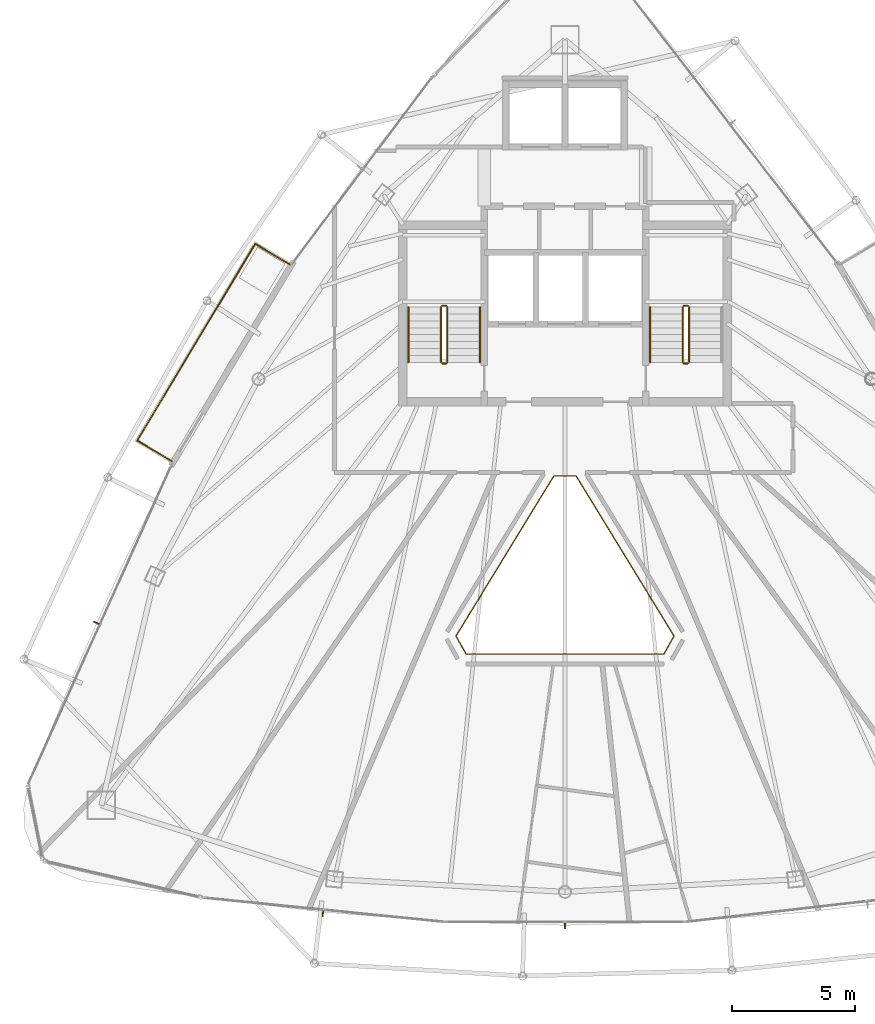
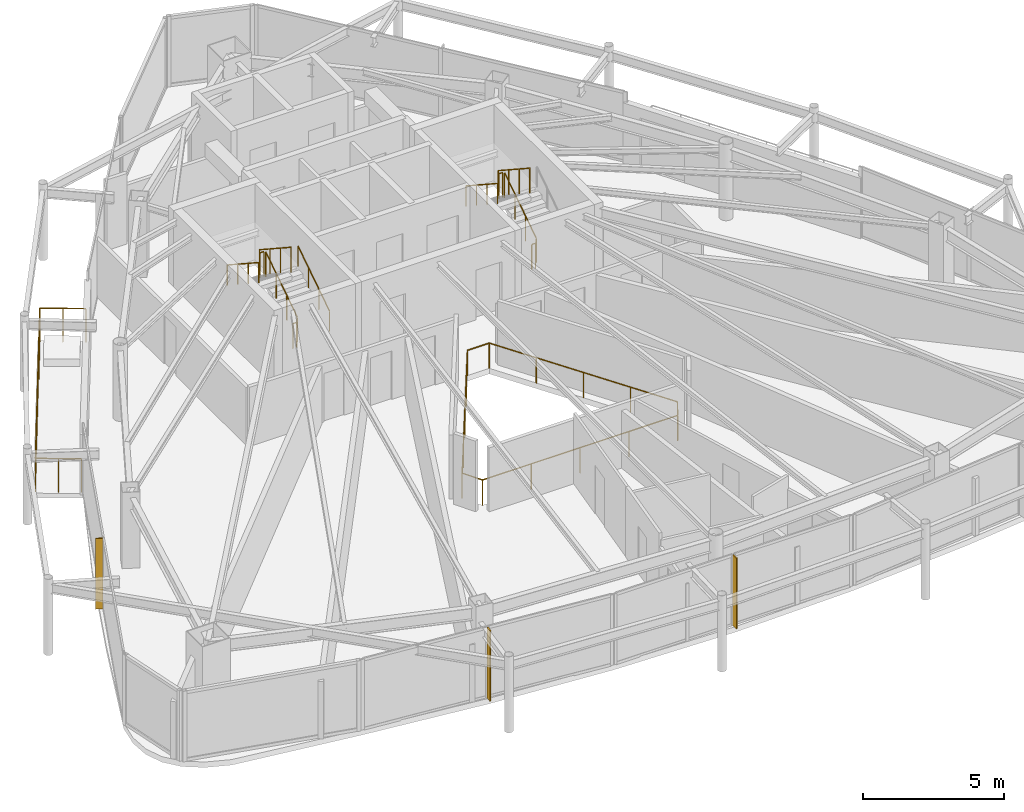
# One storey, part 27 of 28: 13 railings, 3 shading devices.
"""IFC4 building model written with IfcOpenShell, lengths in metres."""

from ifc_helpers import new_model, si_unit, direction, frame, origin, origin_2d, place, context, subcontext, project, spatial, rectangle, circle, extrude, material, layer, layer_set, type_object, element, save


model = new_model("IFC4")

# Units and contexts
model_context = context("Model", 3, precision=1e-05, world=origin(), true_north=direction((0.0, 1.0)))
body_context = subcontext(model_context, "Body", "Model", "MODEL_VIEW")
ifc_project = project(units=[si_unit("LENGTHUNIT", "METRE"), si_unit("AREAUNIT", "SQUARE_METRE"), si_unit("VOLUMEUNIT", "CUBIC_METRE"), si_unit("PLANEANGLEUNIT", "RADIAN"), si_unit("MASSUNIT", "GRAM", prefix="KILO")], contexts=[model_context])

# Site, building, storey
site_placement = place(None, origin())
site = spatial("IfcSite", under=ifc_project, at=site_placement, CompositionType="ELEMENT")
building_placement = place(site_placement, origin())
building = spatial("IfcBuilding", under=site, at=building_placement, Name="Orvanel Arch Residences", CompositionType="ELEMENT")
storey_placement = place(building_placement, frame((0.0, 0.0, 263.449951171875)))
storey = spatial("IfcBuildingStorey", under=building, at=storey_placement, Name="L75", CompositionType="ELEMENT", Elevation=263.449951171875)

# Shading devices
ifc_material_1 = material(Name="Bronze-anodised aluminium AA6063-T6", Category="aluminium")
ifc_layer = layer(ifc_material_1, 0.050048828125)
ifc_layer_set = layer_set([ifc_layer], Name="Bronze-anodised aluminium AA6063-T6")
shading_device_type = type_object("IfcShadingDeviceType", Name="FIN-BRZ-260", PredefinedType="USERDEFINED", material=ifc_layer_set)
for number, where, z_axis, x_axis, name in (
    (1, (13.998046875, 17.75, 0.0), (0.0, 0.0, 1.0), (-0.912120116172, 0.409923033842, 0.0), "L75 Anodised Bronze Mullion FIN 01"),
    (2, (23.18310546875, 5.9599609375, 0.0), (0.0, 0.0, 1.0), (-0.099319749744, -0.995055569961, 0.0), "L75 Anodised Bronze Mullion FIN 01"),
    (3, (33.0, 5.468017578125, 0.0), (0.0, 0.0, 1.0), (0.0, -1.0, 0.0), "L75 Anodised Bronze Mullion FIN 01"),
):
    element("IfcShadingDevice", number, at=place(storey_placement, frame(where, z_axis=z_axis, x_axis=x_axis)), inside=storey, type_object=shading_device_type, Name=name, ObjectType="FIN", PredefinedType="USERDEFINED", context=body_context, shape_type="SweptSolid", body=[
        extrude(rectangle(XDim=0.260009765625, YDim=0.050048828125, at=origin_2d()), origin(), (0.0, 0.0, 1.0), 3.06005859375),
    ])

# Railings
railing_type_1 = type_object("IfcRailingType", Name="RL-ATR-1120", PredefinedType="BALUSTRADE", material=ifc_material_1)
railing_1_placement = place(storey_placement, frame((33.447021484375, 23.7119140625, 0.0)))
element("IfcRailing", 4, at=railing_1_placement, inside=storey, type_object=railing_type_1, Name="L75 Atrium Void Protective Balustrade", PredefinedType="BALUSTRADE", context=body_context, shape_type="SweptSolid", body=[
    extrude(circle(Radius=0.02392578125, at=origin_2d()), frame((-0.00146484375, 0.0, 1.09619140625), z_axis=(-1.0, 0.0, 0.0), x_axis=(0.0, -1.0, 0.0)), (0.0, 0.0, 1.0), 0.89111328125),
    extrude(circle(Radius=0.02392578125, at=origin_2d()), frame((-0.894775390625, -0.001220703125, 1.09619140625), z_axis=(-0.521612229543, -0.853182677972, 0.0), x_axis=(0.853182677972, -0.521612229543, 0.0)), (0.0, 0.0, 1.0), 7.606201171875),
    extrude(circle(Radius=0.02392578125, at=origin_2d()), frame((-4.8623046875, -6.4931640625, 1.09619140625), z_axis=(0.488629954368, -0.872491127573, 0.0), x_axis=(0.872491127573, 0.488629954368, 0.0)), (0.0, 0.0, 1.0), 0.8359375),
    extrude(circle(Radius=0.02392578125, at=origin_2d()), frame((-4.45166015625, -7.223876953125, 1.09619140625), z_axis=(1.0, 0.0, 0.0), x_axis=(0.0, 1.0, 0.0)), (0.0, 0.0, 1.0), 8.00927734375),
    extrude(circle(Radius=0.02392578125, at=origin_2d()), frame((3.559814453125, -7.22265625, 1.09619140625), z_axis=(0.488629954368, 0.872491127573, 0.0), x_axis=(-0.872491127573, 0.488629954368, 0.0)), (0.0, 0.0, 1.0), 0.8359375),
    extrude(circle(Radius=0.02392578125, at=origin_2d()), frame((3.96826171875, -6.49072265625, 1.09619140625), z_axis=(-0.521612229543, 0.853182677972, 0.0), x_axis=(-0.853182677972, -0.521612229543, 0.0)), (0.0, 0.0, 1.0), 7.606201171875),
    extrude(circle(Radius=0.02099609375, at=origin_2d()), origin(), (0.0, 0.0, 1.0), 1.070068359375),
    extrude(circle(Radius=0.02099609375, at=origin_2d()), frame((-0.89404296875, 0.0, 0.0)), (0.0, 0.0, 1.0), 1.070068359375),
    extrude(circle(Radius=0.02099609375, at=origin_2d()), frame((-1.88623046875, -1.623046875, 0.0)), (0.0, 0.0, 1.0), 1.070068359375),
    extrude(circle(Radius=0.02099609375, at=origin_2d()), frame((-2.87841796875, -3.24609375, 0.0)), (0.0, 0.0, 1.0), 1.070068359375),
    extrude(circle(Radius=0.02099609375, at=origin_2d()), frame((-3.870849609375, -4.868896484375, 0.0)), (0.0, 0.0, 1.0), 1.070068359375),
    extrude(circle(Radius=0.02099609375, at=origin_2d()), frame((-4.863037109375, -6.491943359375, 0.0)), (0.0, 0.0, 1.0), 1.070068359375),
    extrude(circle(Radius=0.02099609375, at=origin_2d()), frame((-4.453125, -7.223876953125, 0.0)), (0.0, 0.0, 1.0), 1.070068359375),
    extrude(circle(Radius=0.02099609375, at=origin_2d()), frame((-2.4501953125, -7.223876953125, 0.0)), (0.0, 0.0, 1.0), 1.070068359375),
    extrude(circle(Radius=0.02099609375, at=origin_2d()), frame((-0.447021484375, -7.223876953125, 0.0)), (0.0, 0.0, 1.0), 1.070068359375),
    extrude(circle(Radius=0.02099609375, at=origin_2d()), frame((1.55615234375, -7.223876953125, 0.0)), (0.0, 0.0, 1.0), 1.070068359375),
    extrude(circle(Radius=0.02099609375, at=origin_2d()), frame((3.55908203125, -7.223876953125, 0.0)), (0.0, 0.0, 1.0), 1.070068359375),
    extrude(circle(Radius=0.02099609375, at=origin_2d()), frame((3.968994140625, -6.491943359375, 0.0)), (0.0, 0.0, 1.0), 1.070068359375),
    extrude(circle(Radius=0.02099609375, at=origin_2d()), frame((2.976806640625, -4.868896484375, 0.0)), (0.0, 0.0, 1.0), 1.070068359375),
    extrude(circle(Radius=0.02099609375, at=origin_2d()), frame((1.984375, -3.24609375, 0.0)), (0.0, 0.0, 1.0), 1.070068359375),
    extrude(circle(Radius=0.02099609375, at=origin_2d()), frame((0.9921875, -1.623046875, 0.0)), (0.0, 0.0, 1.0), 1.070068359375),
])
railing_type_2 = type_object("IfcRailingType", Name="RL-BAL-1480", PredefinedType="BALUSTRADE", material=ifc_material_1)
railing_2_placement = place(storey_placement, frame((21.844970703125, 32.282958984375, 0.0)))
element("IfcRailing", 5, at=railing_2_placement, inside=storey, type_object=railing_type_2, Name="L75 Balcony Perimeter Guardrail Face 1", PredefinedType="BALUSTRADE", context=body_context, shape_type="SweptSolid", body=[
    extrude(circle(Radius=0.02392578125, at=origin_2d()), frame((-0.001220703125, 0.000732421875, 1.4560546875), z_axis=(-0.857387817543, 0.514670895164, 0.0), x_axis=(-0.514670895164, -0.857387817543, 0.0)), (0.0, 0.0, 1.0), 1.636962890625),
    extrude(circle(Radius=0.02392578125, at=origin_2d()), frame((-1.40673828125, 0.8427734375, 1.4560546875), z_axis=(-0.514422430239, -0.857536916562, 0.0), x_axis=(0.857536916562, -0.514422430239, 0.0)), (0.0, 0.0, 1.0), 9.300537109375),
    extrude(circle(Radius=0.02392578125, at=origin_2d()), frame((-6.190673828125, -7.134765625, 1.4560546875), z_axis=(0.857545439568, -0.514408222208, 0.0), x_axis=(0.514408222208, 0.857545439568, 0.0)), (0.0, 0.0, 1.0), 1.6376953125),
    extrude(circle(Radius=0.02099609375, at=origin_2d()), origin(), (0.0, 0.0, 1.0), 1.429931640625),
    extrude(circle(Radius=0.02099609375, at=origin_2d()), frame((-0.703125, 0.421875, 0.0)), (0.0, 0.0, 1.0), 1.429931640625),
    extrude(circle(Radius=0.02099609375, at=origin_2d()), frame((-1.406005859375, 0.843994140625, 0.0)), (0.0, 0.0, 1.0), 1.429931640625),
    extrude(circle(Radius=0.02099609375, at=origin_2d()), frame((-2.004150390625, -0.1533203125, 0.0)), (0.0, 0.0, 1.0), 1.429931640625),
    extrude(circle(Radius=0.02099609375, at=origin_2d()), frame((-2.6025390625, -1.150390625, 0.0)), (0.0, 0.0, 1.0), 1.429931640625),
    extrude(circle(Radius=0.02099609375, at=origin_2d()), frame((-3.20068359375, -2.147705078125, 0.0)), (0.0, 0.0, 1.0), 1.429931640625),
    extrude(circle(Radius=0.02099609375, at=origin_2d()), frame((-3.798828125, -3.14501953125, 0.0)), (0.0, 0.0, 1.0), 1.429931640625),
    extrude(circle(Radius=0.02099609375, at=origin_2d()), frame((-4.397216796875, -4.142333984375, 0.0)), (0.0, 0.0, 1.0), 1.429931640625),
    extrude(circle(Radius=0.02099609375, at=origin_2d()), frame((-4.995361328125, -5.1396484375, 0.0)), (0.0, 0.0, 1.0), 1.429931640625),
    extrude(circle(Radius=0.02099609375, at=origin_2d()), frame((-5.59375, -6.13671875, 0.0)), (0.0, 0.0, 1.0), 1.429931640625),
    extrude(circle(Radius=0.02099609375, at=origin_2d()), frame((-6.19189453125, -7.134033203125, 0.0)), (0.0, 0.0, 1.0), 1.429931640625),
    extrude(circle(Radius=0.02099609375, at=origin_2d()), frame((-5.48828125, -7.55615234375, 0.0)), (0.0, 0.0, 1.0), 1.429931640625),
    extrude(circle(Radius=0.02099609375, at=origin_2d()), frame((-4.784912109375, -7.97802734375, 0.0)), (0.0, 0.0, 1.0), 1.429931640625),
])
ifc_material_2 = material(Name="Structural steel AS/NZS 1163 C350L0 (Grade 350)", Category="steel")
railing_type_3 = type_object("IfcRailingType", Name="RL-STAIR-GUARD", PredefinedType="GUARDRAIL", material=ifc_material_2)
railing_3_placement = place(storey_placement, frame((28.22998046875, 28.320068359375, 0.183349609375)))
element("IfcRailing", 6, at=railing_3_placement, inside=storey, type_object=railing_type_3, Name="L75 ST-1 stair guard 1", PredefinedType="GUARDRAIL", context=body_context, shape_type="SweptSolid", body=[
    extrude(circle(Radius=0.02392578125, at=origin_2d()), frame((0.0, 0.001220703125, 1.076904296875), z_axis=(0.0, 0.836595146698, 0.547821650285), x_axis=(-1.0, 0.0, 0.0)), (0.0, 0.0, 1.0), 2.674560546875),
    extrude(circle(Radius=0.02099609375, at=origin_2d()), origin(), (0.0, 0.0, 1.0), 1.050048828125),
    extrude(circle(Radius=0.02099609375, at=origin_2d()), frame((0.0, 0.74658203125, 0.489013671875)), (0.0, 0.0, 1.0), 1.050048828125),
    extrude(circle(Radius=0.02099609375, at=origin_2d()), frame((0.0, 1.493408203125, 0.977783203125)), (0.0, 0.0, 1.0), 1.050048828125),
    extrude(circle(Radius=0.02099609375, at=origin_2d()), frame((0.0, 2.239990234375, 1.466796875)), (0.0, 0.0, 1.0), 1.050048828125),
])
railing_4_placement = place(storey_placement, frame((28.179931640625, 30.610107421875, 1.650146484375)))
element("IfcRailing", 7, at=railing_4_placement, inside=storey, type_object=railing_type_3, Name="L75 ST-1 stair guard 2", PredefinedType="GUARDRAIL", context=body_context, shape_type="SweptSolid", body=[
    extrude(circle(Radius=0.02392578125, at=origin_2d()), frame((-0.00146484375, 0.0, 1.076171875), z_axis=(-1.0, 0.0, 0.0), x_axis=(0.0, -1.0, 0.0)), (0.0, 0.0, 1.0), 0.156982421875),
    extrude(circle(Radius=0.02099609375, at=origin_2d()), origin(), (0.0, 0.0, 1.0), 1.050048828125),
    extrude(circle(Radius=0.02099609375, at=origin_2d()), frame((-0.159912109375, 0.0, 0.0)), (0.0, 0.0, 1.0), 1.050048828125),
])
railing_5_placement = place(storey_placement, frame((27.969970703125, 30.56005859375, 1.83349609375)))
element("IfcRailing", 8, at=railing_5_placement, inside=storey, type_object=railing_type_3, Name="L75 ST-1 stair guard 3", PredefinedType="GUARDRAIL", context=body_context, shape_type="SweptSolid", body=[
    extrude(circle(Radius=0.02392578125, at=origin_2d()), frame((0.0, -0.001220703125, 1.076904296875), z_axis=(0.0, -0.836636935527, 0.547757827979), x_axis=(1.0, 0.0, 0.0)), (0.0, 0.0, 1.0), 2.67431640625),
    extrude(circle(Radius=0.02099609375, at=origin_2d()), origin(), (0.0, 0.0, 1.0), 1.050048828125),
    extrude(circle(Radius=0.02099609375, at=origin_2d()), frame((0.0, -0.74658203125, 0.48876953125)), (0.0, 0.0, 1.0), 1.050048828125),
    extrude(circle(Radius=0.02099609375, at=origin_2d()), frame((0.0, -1.493408203125, 0.977783203125)), (0.0, 0.0, 1.0), 1.050048828125),
    extrude(circle(Radius=0.02099609375, at=origin_2d()), frame((0.0, -2.239990234375, 1.466552734375)), (0.0, 0.0, 1.0), 1.050048828125),
])
railing_6_placement = place(storey_placement, frame((28.179931640625, 28.27001953125, 0.0)))
element("IfcRailing", 9, at=railing_6_placement, inside=storey, type_object=railing_type_3, Name="L75 ST-1 stair guard 4", PredefinedType="GUARDRAIL", context=body_context, shape_type="SweptSolid", body=[
    extrude(circle(Radius=0.02392578125, at=origin_2d()), frame((-0.00146484375, 0.0, 1.076171875), z_axis=(-1.0, 0.0, 0.0), x_axis=(0.0, -1.0, 0.0)), (0.0, 0.0, 1.0), 0.156982421875),
    extrude(circle(Radius=0.02099609375, at=origin_2d()), origin(), (0.0, 0.0, 1.0), 1.050048828125),
    extrude(circle(Radius=0.02099609375, at=origin_2d()), frame((-0.159912109375, 0.0, 0.0)), (0.0, 0.0, 1.0), 1.050048828125),
])
railing_7_placement = place(storey_placement, frame((38.030029296875, 28.320068359375, 0.183349609375)))
element("IfcRailing", 10, at=railing_7_placement, inside=storey, type_object=railing_type_3, Name="L75 ST-2 stair guard 1", PredefinedType="GUARDRAIL", context=body_context, shape_type="SweptSolid", body=[
    extrude(circle(Radius=0.02392578125, at=origin_2d()), frame((0.0, 0.001220703125, 1.076904296875), z_axis=(0.0, 0.836595146698, 0.547821650285), x_axis=(-1.0, 0.0, 0.0)), (0.0, 0.0, 1.0), 2.674560546875),
    extrude(circle(Radius=0.02099609375, at=origin_2d()), origin(), (0.0, 0.0, 1.0), 1.050048828125),
    extrude(circle(Radius=0.02099609375, at=origin_2d()), frame((0.0, 0.74658203125, 0.489013671875)), (0.0, 0.0, 1.0), 1.050048828125),
    extrude(circle(Radius=0.02099609375, at=origin_2d()), frame((0.0, 1.493408203125, 0.977783203125)), (0.0, 0.0, 1.0), 1.050048828125),
    extrude(circle(Radius=0.02099609375, at=origin_2d()), frame((0.0, 2.239990234375, 1.466796875)), (0.0, 0.0, 1.0), 1.050048828125),
])
railing_8_placement = place(storey_placement, frame((37.97998046875, 30.610107421875, 1.650146484375)))
element("IfcRailing", 11, at=railing_8_placement, inside=storey, type_object=railing_type_3, Name="L75 ST-2 stair guard 2", PredefinedType="GUARDRAIL", context=body_context, shape_type="SweptSolid", body=[
    extrude(circle(Radius=0.02392578125, at=origin_2d()), frame((-0.00146484375, 0.0, 1.076171875), z_axis=(-1.0, 0.0, 0.0), x_axis=(0.0, -1.0, 0.0)), (0.0, 0.0, 1.0), 0.156982421875),
    extrude(circle(Radius=0.02099609375, at=origin_2d()), origin(), (0.0, 0.0, 1.0), 1.050048828125),
    extrude(circle(Radius=0.02099609375, at=origin_2d()), frame((-0.159912109375, 0.0, 0.0)), (0.0, 0.0, 1.0), 1.050048828125),
])
railing_9_placement = place(storey_placement, frame((37.77001953125, 30.56005859375, 1.83349609375)))
element("IfcRailing", 12, at=railing_9_placement, inside=storey, type_object=railing_type_3, Name="L75 ST-2 stair guard 3", PredefinedType="GUARDRAIL", context=body_context, shape_type="SweptSolid", body=[
    extrude(circle(Radius=0.02392578125, at=origin_2d()), frame((0.0, -0.001220703125, 1.076904296875), z_axis=(0.0, -0.836636935527, 0.547757827979), x_axis=(1.0, 0.0, 0.0)), (0.0, 0.0, 1.0), 2.67431640625),
    extrude(circle(Radius=0.02099609375, at=origin_2d()), origin(), (0.0, 0.0, 1.0), 1.050048828125),
    extrude(circle(Radius=0.02099609375, at=origin_2d()), frame((0.0, -0.74658203125, 0.48876953125)), (0.0, 0.0, 1.0), 1.050048828125),
    extrude(circle(Radius=0.02099609375, at=origin_2d()), frame((0.0, -1.493408203125, 0.977783203125)), (0.0, 0.0, 1.0), 1.050048828125),
    extrude(circle(Radius=0.02099609375, at=origin_2d()), frame((0.0, -2.239990234375, 1.466552734375)), (0.0, 0.0, 1.0), 1.050048828125),
])
railing_10_placement = place(storey_placement, frame((37.97998046875, 28.27001953125, 0.0)))
element("IfcRailing", 13, at=railing_10_placement, inside=storey, type_object=railing_type_3, Name="L75 ST-2 stair guard 4", PredefinedType="GUARDRAIL", context=body_context, shape_type="SweptSolid", body=[
    extrude(circle(Radius=0.02392578125, at=origin_2d()), frame((-0.00146484375, 0.0, 1.076171875), z_axis=(-1.0, 0.0, 0.0), x_axis=(0.0, -1.0, 0.0)), (0.0, 0.0, 1.0), 0.156982421875),
    extrude(circle(Radius=0.02099609375, at=origin_2d()), origin(), (0.0, 0.0, 1.0), 1.050048828125),
    extrude(circle(Radius=0.02099609375, at=origin_2d()), frame((-0.159912109375, 0.0, 0.0)), (0.0, 0.0, 1.0), 1.050048828125),
])
railing_type_4 = type_object("IfcRailingType", Name="RL-STAIR-HAND", PredefinedType="HANDRAIL", material=ifc_material_2)
railing_11_placement = place(storey_placement, frame((29.550048828125, 28.320068359375, 0.183349609375)))
element("IfcRailing", 14, at=railing_11_placement, inside=storey, type_object=railing_type_4, Name="L75 ST-1 stair handrail 1", PredefinedType="HANDRAIL", context=body_context, shape_type="SweptSolid", body=[
    extrude(circle(Radius=0.02392578125, at=origin_2d()), frame((0.0, 0.001220703125, 0.876708984375), z_axis=(0.0, 0.836595146698, 0.547821650285), x_axis=(-1.0, 0.0, 0.0)), (0.0, 0.0, 1.0), 2.674560546875),
    extrude(circle(Radius=0.02099609375, at=origin_2d()), origin(), (0.0, 0.0, 1.0), 0.849853515625),
    extrude(circle(Radius=0.02099609375, at=origin_2d()), frame((0.0, 0.74658203125, 0.489013671875)), (0.0, 0.0, 1.0), 0.849853515625),
    extrude(circle(Radius=0.02099609375, at=origin_2d()), frame((0.0, 1.493408203125, 0.977783203125)), (0.0, 0.0, 1.0), 0.849853515625),
    extrude(circle(Radius=0.02099609375, at=origin_2d()), frame((0.0, 2.239990234375, 1.466796875)), (0.0, 0.0, 1.0), 0.849853515625),
])
for number, where, name in (
    (15, (26.64990234375, 30.56005859375, 1.83349609375), "L75 ST-1 stair handrail 2"),
    (16, (36.449951171875, 30.56005859375, 1.83349609375), "L75 ST-2 stair handrail 2"),
):
    element("IfcRailing", number, at=place(storey_placement, frame(where)), inside=storey, type_object=railing_type_4, Name=name, PredefinedType="HANDRAIL", context=body_context, shape_type="SweptSolid", body=[
        extrude(circle(Radius=0.02392578125, at=origin_2d()), frame((0.0, -0.001220703125, 0.876708984375), z_axis=(0.0, -0.836636935527, 0.547757827979), x_axis=(1.0, 0.0, 0.0)), (0.0, 0.0, 1.0), 2.67431640625),
        extrude(circle(Radius=0.02099609375, at=origin_2d()), origin(), (0.0, 0.0, 1.0), 0.849853515625),
        extrude(circle(Radius=0.02099609375, at=origin_2d()), frame((0.0, -0.74658203125, 0.48876953125)), (0.0, 0.0, 1.0), 0.849853515625),
        extrude(circle(Radius=0.02099609375, at=origin_2d()), frame((0.0, -1.493408203125, 0.977783203125)), (0.0, 0.0, 1.0), 0.849853515625),
        extrude(circle(Radius=0.02099609375, at=origin_2d()), frame((0.0, -2.239990234375, 1.466552734375)), (0.0, 0.0, 1.0), 0.849853515625),
    ])

save(model, "model.ifc")
